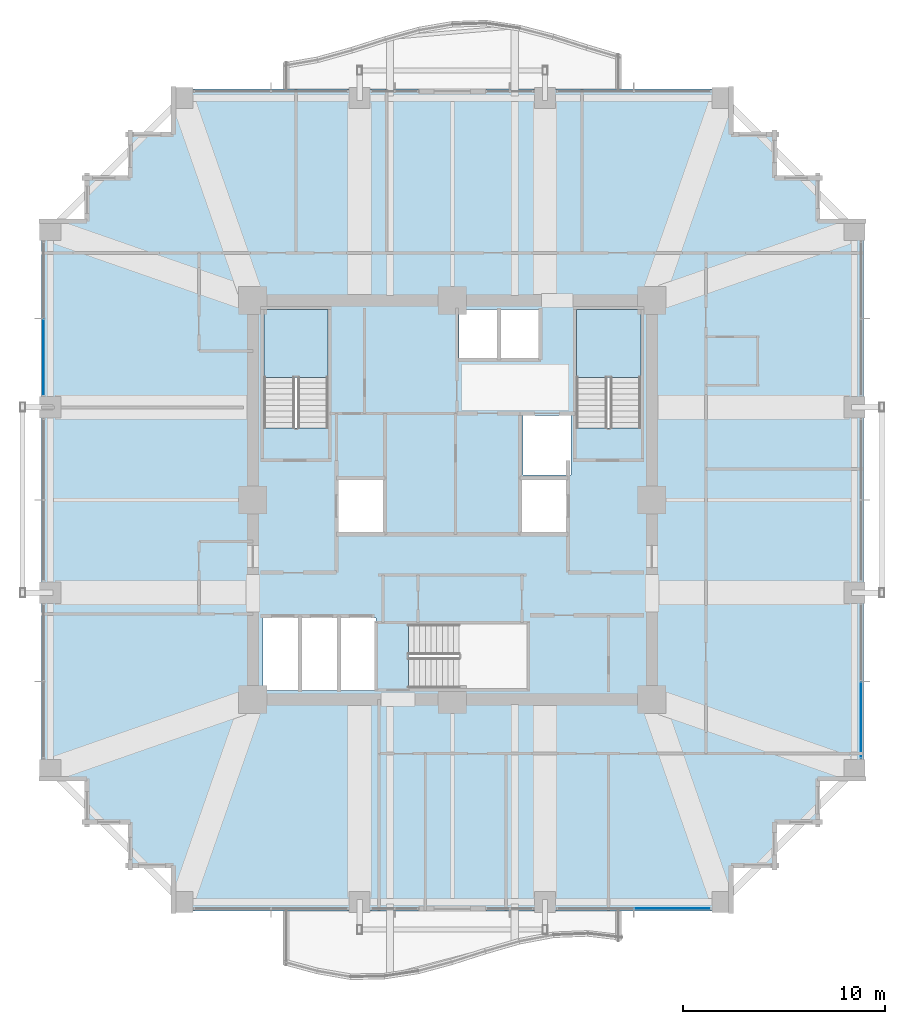
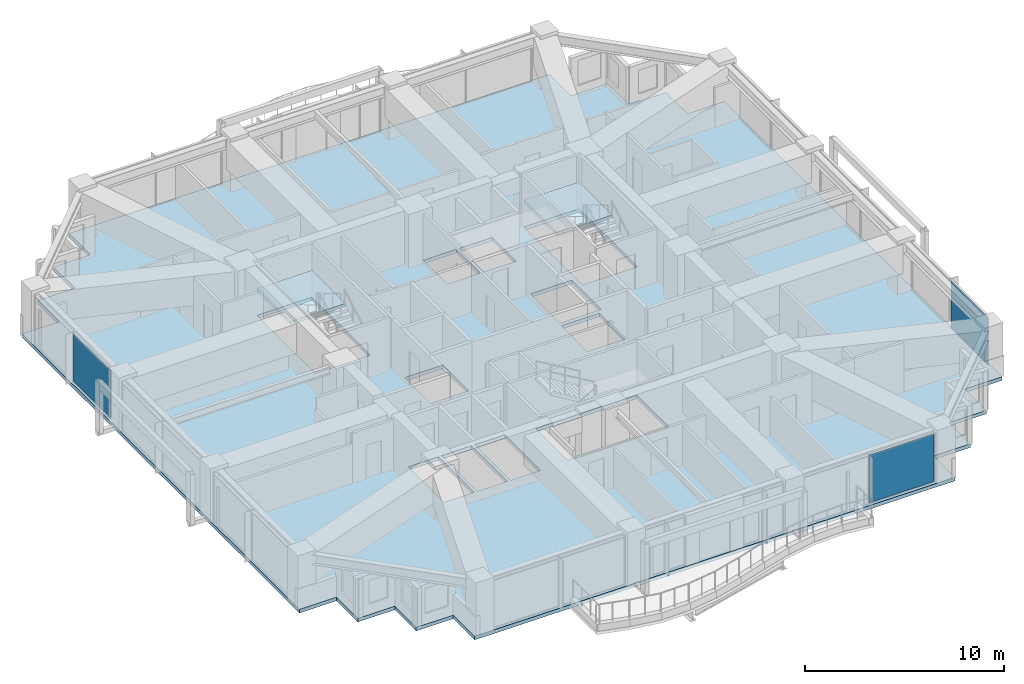
# One storey, part 29 of 39: 3 plates, 3 slabs, 5 elements without a shape of their own.
"""IFC4 building model written with IfcOpenShell, lengths in metres."""

from ifc_helpers import new_model, si_unit, direction, frame, origin, origin_2d, place, context, subcontext, project, spatial, polyline, rectangle, outline, extrude, material, layer, layer_set, type_object, element, aggregate, save


model = new_model("IFC4")

# Units and contexts
model_context = context("Model", 3, precision=1e-05, world=origin(), true_north=direction((0.0, 1.0)))
body_context = subcontext(model_context, "Body", "Model", "MODEL_VIEW")
ifc_project = project(units=[si_unit("LENGTHUNIT", "METRE"), si_unit("AREAUNIT", "SQUARE_METRE"), si_unit("VOLUMEUNIT", "CUBIC_METRE"), si_unit("PLANEANGLEUNIT", "RADIAN"), si_unit("MASSUNIT", "GRAM", prefix="KILO")], contexts=[model_context])

# Site, building, storey
site_placement = place(None, origin())
site = spatial("IfcSite", under=ifc_project, at=site_placement, CompositionType="ELEMENT")
building_placement = place(site_placement, origin())
building = spatial("IfcBuilding", under=site, at=building_placement, Name="Kolvaren Belvedere", CompositionType="ELEMENT")
storey_placement = place(building_placement, frame((0.0, 0.0, 85.39990234375)))
storey = spatial("IfcBuildingStorey", under=building, at=storey_placement, Name="L24", CompositionType="ELEMENT", Elevation=85.39990234375)

# Curtain wall, plate
ifc_material_1 = material(Name="Anodised pale-metal aluminium AA 6063-T6", Category="aluminium")
curtain_wall_type = type_object("IfcCurtainWallType", Name="CW-Z2-MID", PredefinedType="NOTDEFINED", material=ifc_material_1)
curtain_wall_1_placement = place(storey_placement, origin())
curtain_wall_1 = element("IfcCurtainWall", 1, at=curtain_wall_1_placement, inside=storey, type_object=curtain_wall_type, Name="L24 Unitised Curtain Wall FCW-L24-S1-B1", PredefinedType="NOTDEFINED")
ifc_material_2 = material(Name="Low-iron triple insulated glass", Category="glass")
ifc_layer_1 = layer(ifc_material_2, 0.028076171875)
ifc_layer_set_1 = layer_set([ifc_layer_1], Name="Low-iron triple insulated glass")
plate_type = type_object("IfcPlateType", Name="CW-PNL-VIS28", PredefinedType="CURTAIN_PANEL", material=ifc_layer_set_1)
plate_1_placement = place(storey_placement, frame((10.9111328125, -20.280029296875, 0.080078125), z_axis=(0.0, 0.0, 1.0), x_axis=(-1.0, 0.0, 0.0)))
plate_1 = element("IfcPlate", 2, at=plate_1_placement, type_object=plate_type, Name="FCW-L24-S1-B1 Vision Glazing Panel 1", PredefinedType="CURTAIN_PANEL", context=body_context, shape_type="SweptSolid", body=[
    extrude(rectangle(XDim=3.742431640625, YDim=0.028076171875, at=origin_2d()), origin(), (0.0, 0.0, 1.0), 2.919921875),
])
aggregate(curtain_wall_1, [plate_1])

curtain_wall_2_placement = place(storey_placement, origin())
curtain_wall_2 = element("IfcCurtainWall", 3, at=curtain_wall_2_placement, inside=storey, type_object=curtain_wall_type, Name="L24 Unitised Curtain Wall FCW-L24-E-B3", PredefinedType="NOTDEFINED")
plate_2_placement = place(storey_placement, frame((20.280029296875, -10.9111328125, 0.080078125), z_axis=(0.0, 0.0, 1.0), x_axis=(0.0, -1.0, 0.0)))
plate_2 = element("IfcPlate", 4, at=plate_2_placement, type_object=plate_type, Name="FCW-L24-E-B3 Vision Glazing Panel 2", PredefinedType="CURTAIN_PANEL", context=body_context, shape_type="SweptSolid", body=[
    extrude(rectangle(XDim=3.742431640625, YDim=0.028076171875, at=origin_2d()), origin(), (0.0, 0.0, 1.0), 2.919921875),
])
aggregate(curtain_wall_2, [plate_2])

curtain_wall_3_placement = place(storey_placement, origin())
curtain_wall_3 = element("IfcCurtainWall", 5, at=curtain_wall_3_placement, inside=storey, type_object=curtain_wall_type, Name="L24 Unitised Curtain Wall FCW-L24-W-B3", PredefinedType="NOTDEFINED")
plate_3_placement = place(storey_placement, frame((-20.280029296875, 7.0888671875, 0.080078125), z_axis=(0.0, 0.0, 1.0), x_axis=(0.0, 1.0, 0.0)))
plate_3 = element("IfcPlate", 6, at=plate_3_placement, type_object=plate_type, Name="FCW-L24-W-B3 Vision Glazing Panel 1", PredefinedType="CURTAIN_PANEL", context=body_context, shape_type="SweptSolid", body=[
    extrude(rectangle(XDim=3.742431640625, YDim=0.028076171875, at=origin_2d()), origin(), (0.0, 0.0, 1.0), 2.919921875),
])
aggregate(curtain_wall_3, [plate_3])

# Slab
ifc_material_3 = material(Name="Concrete C50/60", Category="concrete")
ifc_layer_2 = layer(ifc_material_3, 0.219970703125)
ifc_layer_set_2 = layer_set([ifc_layer_2], Name="Concrete C50/60")
slab_type_1 = type_object("IfcSlabType", Name="SL-FLR-220", PredefinedType="FLOOR", material=ifc_layer_set_2)
slab_1_placement = place(storey_placement, frame((0.0, 0.0, -0.219970703125)))
element("IfcSlab", 7, at=slab_1_placement, inside=storey, type_object=slab_type_1, Name="L24 Primary Structural Slab", PredefinedType="FLOOR", context=body_context, shape_type="SweptSolid", body=[
    extrude(outline(polyline([(-13.949951171875, -20.39990234375), (13.949951171875, -20.39990234375), (13.949951171875, -18.25), (16.10009765625, -18.25), (16.10009765625, -16.10009765625), (18.25, -16.10009765625), (18.25, -13.949951171875), (20.39990234375, -13.949951171875), (20.39990234375, 13.949951171875), (18.25, 13.949951171875), (18.25, 16.10009765625), (16.10009765625, 16.10009765625), (16.10009765625, 18.25), (13.949951171875, 18.25), (13.949951171875, 20.39990234375), (-13.949951171875, 20.39990234375), (-13.949951171875, 18.25), (-16.10009765625, 18.25), (-16.10009765625, 16.10009765625), (-18.25, 16.10009765625), (-18.25, 13.949951171875), (-20.39990234375, 13.949951171875), (-20.39990234375, -13.949951171875), (-18.25, -13.949951171875), (-18.25, -16.10009765625), (-16.10009765625, -16.10009765625), (-16.10009765625, -18.25), (-13.949951171875, -18.25), (-13.949951171875, -20.39990234375)]), holes=[polyline([(-9.35009765625, 3.580078125), (-6.159912109375, 3.580078125), (-6.159912109375, 9.449951171875), (-9.35009765625, 9.449951171875), (-9.35009765625, 3.580078125)]), polyline([(6.159912109375, 3.580078125), (9.35009765625, 3.580078125), (9.35009765625, 9.449951171875), (6.159912109375, 9.449951171875), (6.159912109375, 3.580078125)]), polyline([(-2.169921875, -9.35009765625), (3.699951171875, -9.35009765625), (3.699951171875, -6.159912109375), (-2.169921875, -6.159912109375), (-2.169921875, -9.35009765625)]), polyline([(-5.64990234375, -1.60009765625), (-3.449951171875, -1.60009765625), (-3.449951171875, 1.0), (-5.64990234375, 1.0), (-5.64990234375, -1.60009765625)]), polyline([(3.5, 1.25), (5.89990234375, 1.25), (5.89990234375, 4.199951171875), (3.5, 4.199951171875), (3.5, 1.25)]), polyline([(3.449951171875, -1.60009765625), (5.64990234375, -1.60009765625), (5.64990234375, 1.0), (3.449951171875, 1.0), (3.449951171875, -1.60009765625)]), polyline([(-9.39990234375, -9.449951171875), (-7.64990234375, -9.449951171875), (-7.64990234375, -5.85009765625), (-9.39990234375, -5.85009765625), (-9.39990234375, -9.449951171875)]), polyline([(-7.469970703125, -9.449951171875), (-5.719970703125, -9.449951171875), (-5.719970703125, -5.85009765625), (-7.469970703125, -5.85009765625), (-7.469970703125, -9.449951171875)]), polyline([(-5.5400390625, -9.449951171875), (-3.7900390625, -9.449951171875), (-3.7900390625, -5.85009765625), (-5.5400390625, -5.85009765625), (-5.5400390625, -9.449951171875)]), polyline([(0.320068359375, 7.050048828125), (2.219970703125, 7.050048828125), (2.219970703125, 9.449951171875), (0.320068359375, 9.449951171875), (0.320068359375, 7.050048828125)]), polyline([(2.39990234375, 7.050048828125), (4.300048828125, 7.050048828125), (4.300048828125, 9.449951171875), (2.39990234375, 9.449951171875), (2.39990234375, 7.050048828125)])]), origin(), (0.0, 0.0, 1.0), 0.219970703125),
])

# Stair, slab
ifc_material_4 = material(Name="Concrete C50/60", Category="concrete")
stair_type = type_object("IfcStairType", Name="ST-CORE-1520", PredefinedType="HALF_TURN_STAIR", material=ifc_material_4)
stair_1_placement = place(storey_placement, origin())
stair_1 = element("IfcStair", 8, at=stair_1_placement, inside=storey, type_object=stair_type, Name="L24 Protected Exit Stair ST-1", PredefinedType="HALF_TURN_STAIR")
ifc_material_5 = material(Name="Concrete C50/60", Category="concrete")
ifc_layer_3 = layer(ifc_material_5, 0.260009765625)
ifc_layer_set_3 = layer_set([ifc_layer_3], Name="Concrete C50/60")
slab_type_2 = type_object("IfcSlabType", Name="SL-LAND-260", PredefinedType="LANDING", material=ifc_layer_set_3)
slab_2_placement = place(storey_placement, frame((0.0, 0.0, 1.4501953125)))
slab_2 = element("IfcSlab", 9, at=slab_2_placement, type_object=slab_type_2, Name="ST-1 landing 1", PredefinedType="LANDING", context=body_context, shape_type="SweptSolid", body=[
    extrude(outline(polyline([(-6.159912109375, 6.090087890625), (-6.159912109375, 9.449951171875), (-9.35009765625, 9.449951171875), (-9.35009765625, 6.090087890625), (-6.159912109375, 6.090087890625)])), origin(), (0.0, 0.0, 1.0), 0.199951171875),
])
aggregate(stair_1, [slab_2])

stair_2_placement = place(storey_placement, origin())
stair_2 = element("IfcStair", 10, at=stair_2_placement, inside=storey, type_object=stair_type, Name="L24 Protected Exit Stair ST-2", PredefinedType="HALF_TURN_STAIR")
slab_3_placement = place(storey_placement, frame((0.0, 0.0, 1.4501953125)))
slab_3 = element("IfcSlab", 11, at=slab_3_placement, type_object=slab_type_2, Name="ST-2 landing 1", PredefinedType="LANDING", context=body_context, shape_type="SweptSolid", body=[
    extrude(outline(polyline([(9.35009765625, 6.090087890625), (9.35009765625, 9.449951171875), (6.159912109375, 9.449951171875), (6.159912109375, 6.090087890625), (9.35009765625, 6.090087890625)])), origin(), (0.0, 0.0, 1.0), 0.199951171875),
])
aggregate(stair_2, [slab_3])

save(model, "model.ifc")
